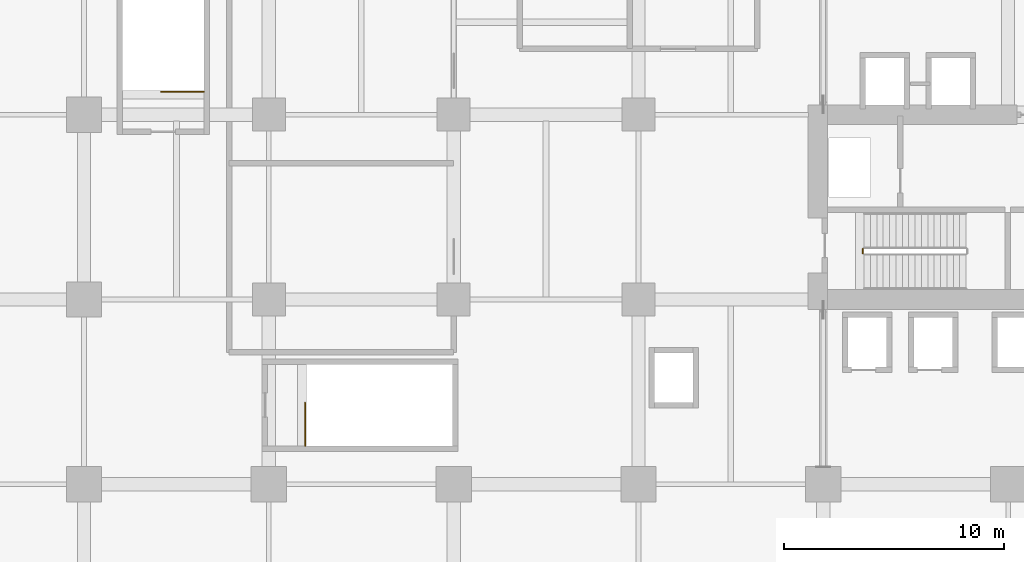
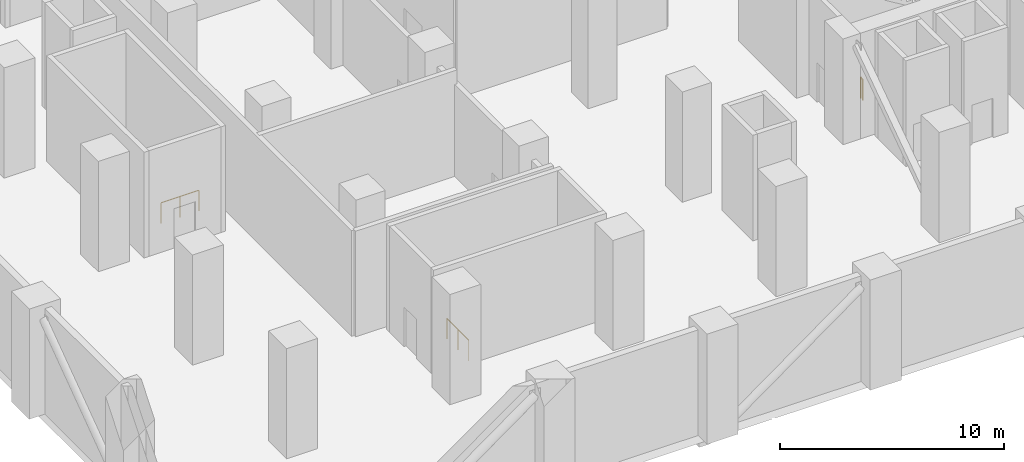
# One storey, part 18 of 20: 3 railings.
"""IFC4 building model written with IfcOpenShell, lengths in metres."""

import ifcopenshell
import ifcopenshell.guid

model = None  # the IFC model being written
_history = None  # IfcOwnerHistory: only IFC2X3 demands one
_inside = {}  # id of a spatial element -> (the spatial element, [elements in it])
_under = {}  # id of a project, library or spatial element -> (it, [spatial elements below it])
_declared = {}  # id of a project -> (the project, [libraries it declares])
_typed = {}  # id of a type object -> (the type object, [elements of that type])
_made_of = {}  # id of a material, layer set ... -> (it, [elements and type objects made of it])


def new_model(schema):
    """Start an empty IFC model of exactly this schema.

    Asked for "IFC4X3", IfcOpenShell would pick the latest addendum, in which some entities
    have other attributes; the version numbers below select the first issue.
    IFC2X3 requires an IfcOwnerHistory on every rooted entity: one is made here for all.
    """
    global model, _history
    if schema == "IFC4X3":
        model = ifcopenshell.file(schema_version=(4, 3, 0, 0))
    else:
        model = ifcopenshell.file(schema=schema)
    _inside.clear()
    _under.clear()
    _declared.clear()
    _typed.clear()
    _made_of.clear()
    _history = None
    if model.schema == "IFC2X3":
        org = make("IfcOrganization", Name="unknown")
        user = make(
            "IfcPersonAndOrganization",
            ThePerson=make("IfcPerson", FamilyName="unknown"),
            TheOrganization=org,
        )
        app = make(
            "IfcApplication",
            ApplicationDeveloper=org,
            Version="unknown",
            ApplicationFullName="unknown",
            ApplicationIdentifier="unknown",
        )
        _history = make(
            "IfcOwnerHistory",
            OwningUser=user,
            OwningApplication=app,
            ChangeAction="ADDED",
            CreationDate=0,
        )
    return model


def make(cls, **values):
    """One entity of the class cls with the attributes given. An attribute that is None is left unset."""
    return model.create_entity(
        cls, **{name: value for name, value in values.items() if value is not None}
    )


def rooted(cls, **values):
    """An entity with a GlobalId (a new one), such as an element, a storey or a relation."""
    return make(cls, GlobalId=ifcopenshell.guid.new(), OwnerHistory=_history, **values)


def si_unit(unit_type, name, prefix=None):
    """IfcSIUnit, for example si_unit("LENGTHUNIT", "METRE", prefix="MILLI")."""
    return make("IfcSIUnit", UnitType=unit_type, Prefix=prefix, Name=name)


def assignment(units):
    """IfcUnitAssignment: the units of a project."""
    return None if units is None else make("IfcUnitAssignment", Units=units)


def point(xyz):
    """IfcCartesianPoint."""
    return None if xyz is None else make("IfcCartesianPoint", Coordinates=xyz)


def direction(xyz):
    """IfcDirection."""
    return None if xyz is None else make("IfcDirection", DirectionRatios=xyz)


def frame(location, z_axis=None, x_axis=None):
    """IfcAxis2Placement3D, a coordinate frame: its origin and axes. An axis left out is left unset."""
    return make(
        "IfcAxis2Placement3D",
        Location=point(location),
        Axis=direction(z_axis),
        RefDirection=direction(x_axis),
    )


def frame_2d(location, x_axis=None):
    """IfcAxis2Placement2D, a coordinate frame in the plane: its origin and x axis."""
    return make(
        "IfcAxis2Placement2D", Location=point(location), RefDirection=direction(x_axis)
    )


def origin():
    """The frame at (0, 0, 0) with its axes left unset."""
    return frame((0.0, 0.0, 0.0))


def origin_2d():
    """The frame at (0, 0) in the plane with its x axis left unset."""
    return frame_2d((0.0, 0.0))


def place(relative_to, where):
    """IfcLocalPlacement: puts the frame where relative to a parent placement (None: the world)."""
    return make(
        "IfcLocalPlacement", PlacementRelTo=relative_to, RelativePlacement=where
    )


def context(
    kind, dimensions, precision=None, world=None, true_north=None, identifier=None
):
    """IfcGeometricRepresentationContext, for example the 3D "Model" context."""
    return make(
        "IfcGeometricRepresentationContext",
        ContextIdentifier=identifier,
        ContextType=kind,
        CoordinateSpaceDimension=dimensions,
        Precision=precision,
        WorldCoordinateSystem=world,
        TrueNorth=true_north,
    )


def subcontext(parent, identifier, kind, view, scale=None):
    """IfcGeometricRepresentationSubContext, for example "Body" below "Model"."""
    return make(
        "IfcGeometricRepresentationSubContext",
        ContextIdentifier=identifier,
        ContextType=kind,
        ParentContext=parent,
        TargetScale=scale,
        TargetView=view,
    )


def project(units=None, contexts=None):
    """IfcProject with its units and contexts."""
    return rooted(
        "IfcProject",
        Name="project",
        RepresentationContexts=contexts,
        UnitsInContext=assignment(units),
    )


def spatial(cls, under=None, at=None, **own):
    """A site, building, storey or space (cls), placed at a placement, below another one or the project."""
    s = rooted(cls, ObjectPlacement=at, **own)
    if under is not None:
        _under.setdefault(under.id(), (under, []))[1].append(s)
    return s


def profile(cls, at=None, kind="AREA", **sizes):
    """A parametric profile (cls). Its sizes go by their IFC names, for example OverallWidth=200.0."""
    return make(cls, ProfileType=kind, Position=at, **sizes)


def circle(**sizes):
    """IfcCircleProfileDef."""
    return profile("IfcCircleProfileDef", **sizes)


def extrude(swept, where, along, depth):
    """IfcExtrudedAreaSolid: the profile swept, set in the frame where, extruded along a direction by depth."""
    return make(
        "IfcExtrudedAreaSolid",
        SweptArea=swept,
        Position=where,
        ExtrudedDirection=direction(along),
        Depth=depth,
    )


def shape(context_of_items, identifier, shape_type, items):
    """IfcShapeRepresentation: the items that make up one representation, for example the "Body"."""
    return make(
        "IfcShapeRepresentation",
        ContextOfItems=context_of_items,
        RepresentationIdentifier=identifier,
        RepresentationType=shape_type,
        Items=items,
    )


def material(Name=None, Category=None):
    """IfcMaterial."""
    return make("IfcMaterial", Name=Name, Category=Category)


def made_of(thing, what):
    """Note that an element or type object is made of a material, layer set ...; save() writes the relation."""
    if what is not None:
        _made_of.setdefault(what.id(), (what, []))[1].append(thing)
    return thing


def type_object(cls, material=None, **own):
    """A type object (cls), such as IfcWallType, which elements share."""
    return made_of(rooted(cls, **own), material)


def element(
    cls,
    number,
    at=None,
    inside=None,
    cuts=None,
    type_object=None,
    material=None,
    context=None,
    identifier="Body",
    shape_type=None,
    held_by="IfcProductDefinitionShape",
    body=None,
    shapes=None,
    **own,
):
    """One element of the class cls, such as IfcWall. Its Tag is "e" and its number.

    at: its placement. inside: the storey or other place that contains it. cuts: it is an
    opening in that element (IfcRelVoidsElement). A single representation is given by context,
    identifier, shape_type and body (its items); several are given by shapes. held_by: the class
    of the entity that holds the representations. save() writes the other relations.
    """
    e = rooted(cls, Tag="e%d" % number, ObjectPlacement=at, **own)
    if body is not None:
        shapes = [shape(context, identifier, shape_type, body)]
    if shapes is not None:
        e.Representation = make(held_by, Representations=shapes)
    if inside is not None:
        _inside.setdefault(inside.id(), (inside, []))[1].append(e)
    if cuts is not None:
        rooted(
            "IfcRelVoidsElement", RelatingBuildingElement=cuts, RelatedOpeningElement=e
        )
    if type_object is not None:
        _typed.setdefault(type_object.id(), (type_object, []))[1].append(e)
    return made_of(e, material)


def aggregate(whole, parts):
    """IfcRelAggregates: a whole, such as a stair, and the parts it consists of."""
    return rooted("IfcRelAggregates", RelatingObject=whole, RelatedObjects=parts)


def save(model, path):
    """Write the relations noted so far, then the file.

    IfcRelAggregates (storeys below a building ...), IfcRelContainedInSpatialStructure (elements
    in a storey), IfcRelDefinesByType, IfcRelAssociatesMaterial and IfcRelDeclares: one each for
    every whole, place, type object, material and project.
    """
    for whole, parts in _under.values():
        aggregate(whole, parts)
    for where, things in _inside.values():
        rooted(
            "IfcRelContainedInSpatialStructure",
            RelatedElements=things,
            RelatingStructure=where,
        )
    for kind, things in _typed.values():
        rooted("IfcRelDefinesByType", RelatedObjects=things, RelatingType=kind)
    for what, things in _made_of.values():
        rooted("IfcRelAssociatesMaterial", RelatedObjects=things, RelatingMaterial=what)
    for by, libraries in _declared.values():
        rooted("IfcRelDeclares", RelatingContext=by, RelatedDefinitions=libraries)
    model.write(path)


model = new_model("IFC4")

# Units and contexts
model_context = context("Model", 3, precision=1e-05, world=origin(), true_north=direction((0.0, 1.0)))
body_context = subcontext(model_context, "Body", "Model", "MODEL_VIEW")
ifc_project = project(units=[si_unit("LENGTHUNIT", "METRE"), si_unit("AREAUNIT", "SQUARE_METRE"), si_unit("VOLUMEUNIT", "CUBIC_METRE"), si_unit("PLANEANGLEUNIT", "RADIAN"), si_unit("MASSUNIT", "GRAM", prefix="KILO")], contexts=[model_context])

# Site, building, storey
site_placement = place(None, origin())
site = spatial("IfcSite", under=ifc_project, at=site_placement, CompositionType="ELEMENT")
building_placement = place(site_placement, origin())
building = spatial("IfcBuilding", under=site, at=building_placement, Name="Koriwani Terraces Tower", CompositionType="ELEMENT")
storey_placement = place(building_placement, frame((0.0, 0.0, 26.0)))
storey = spatial("IfcBuildingStorey", under=building, at=storey_placement, Name="L05", CompositionType="ELEMENT", Elevation=26.0)

# Railings
ifc_material = material(Name="Steel ASTM A572 Grade 50", Category="steel")
railing_type = type_object("IfcRailingType", Name="GUARD_STAIR_WELL_1120", PredefinedType="GUARDRAIL", material=ifc_material)
railing_1_placement = place(storey_placement, frame((43.800048828125, 18.89990234375, 0.0)))
element("IfcRailing", 1, at=railing_1_placement, inside=storey, type_object=railing_type, Name="L05 ST-E1 stair guard 4", PredefinedType="GUARDRAIL", context=body_context, shape_type="SweptSolid", body=[
    extrude(circle(Radius=0.02392578125, at=origin_2d()), frame((0.0, 0.0, 1.1259765625), z_axis=(0.0, 1.0, 0.0), x_axis=(-1.0, 0.0, 0.0)), (0.0, 0.0, 1.0), 0.2001953125),
    extrude(circle(Radius=0.02099609375, at=origin_2d()), origin(), (0.0, 0.0, 1.0), 1.101806640625),
    extrude(circle(Radius=0.02099609375, at=origin_2d()), frame((0.0, 0.2001953125, 0.0)), (0.0, 0.0, 1.0), 1.101806640625),
])
railing_2_placement = place(storey_placement, frame((13.85009765625, 26.25, 0.0)))
element("IfcRailing", 2, at=railing_2_placement, inside=storey, type_object=railing_type, Name="L05 ST-P1 top well guard 1", PredefinedType="GUARDRAIL", context=body_context, shape_type="SweptSolid", body=[
    extrude(circle(Radius=0.02392578125, at=origin_2d()), frame((0.0, 0.0, 1.1259765625), z_axis=(-1.0, 0.0, 0.0), x_axis=(0.0, -1.0, 0.0)), (0.0, 0.0, 1.0), 1.9501953125),
    extrude(circle(Radius=0.02099609375, at=origin_2d()), origin(), (0.0, 0.0, 1.0), 1.101806640625),
    extrude(circle(Radius=0.02099609375, at=origin_2d()), frame((-0.97509765625, 0.0, 0.0)), (0.0, 0.0, 1.0), 1.101806640625),
    extrude(circle(Radius=0.02099609375, at=origin_2d()), frame((-1.9501953125, 0.0, 0.0)), (0.0, 0.0, 1.0), 1.101806640625),
])
railing_3_placement = place(storey_placement, frame((18.449951171875, 10.14990234375, 0.0)))
element("IfcRailing", 3, at=railing_3_placement, inside=storey, type_object=railing_type, Name="L05 ST-P2 top well guard 1", PredefinedType="GUARDRAIL", context=body_context, shape_type="SweptSolid", body=[
    extrude(circle(Radius=0.02392578125, at=origin_2d()), frame((0.0, 0.0, 1.1259765625), z_axis=(0.0, 1.0, 0.0), x_axis=(-1.0, 0.0, 0.0)), (0.0, 0.0, 1.0), 1.9501953125),
    extrude(circle(Radius=0.02099609375, at=origin_2d()), origin(), (0.0, 0.0, 1.0), 1.101806640625),
    extrude(circle(Radius=0.02099609375, at=origin_2d()), frame((0.0, 0.97509765625, 0.0)), (0.0, 0.0, 1.0), 1.101806640625),
    extrude(circle(Radius=0.02099609375, at=origin_2d()), frame((0.0, 1.9501953125, 0.0)), (0.0, 0.0, 1.0), 1.101806640625),
])

save(model, "model.ifc")
